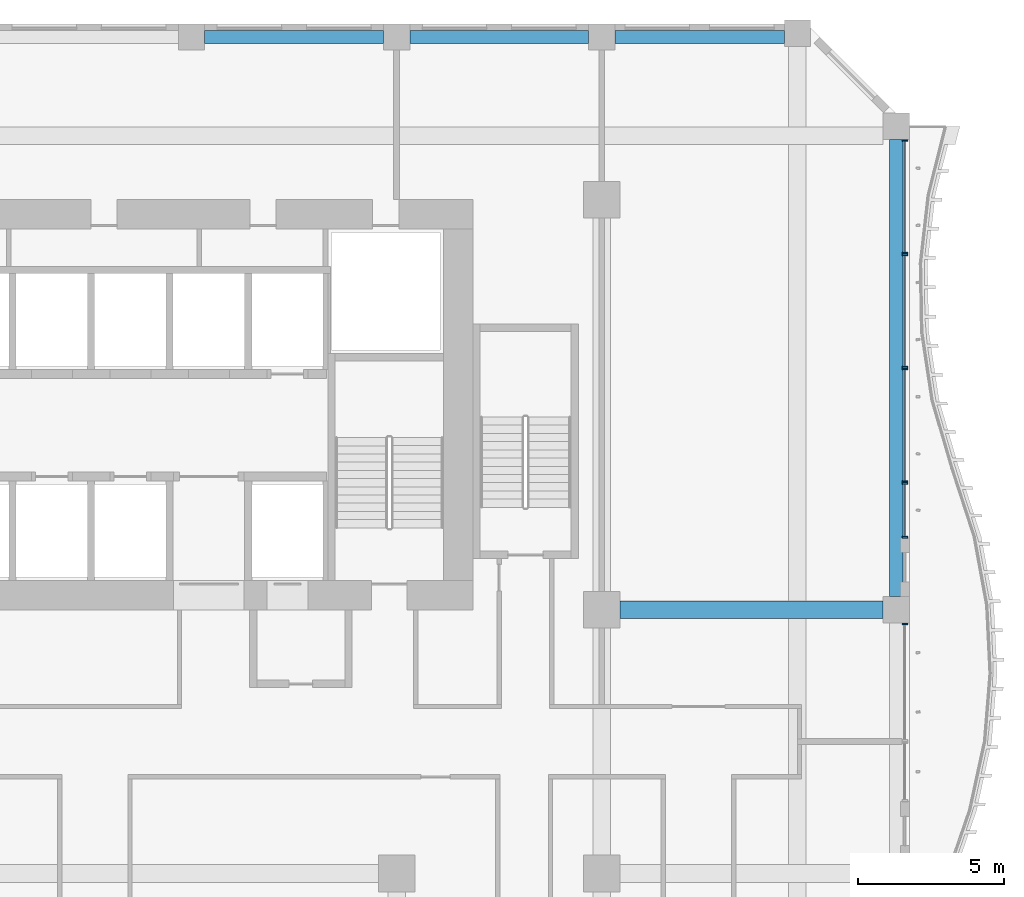
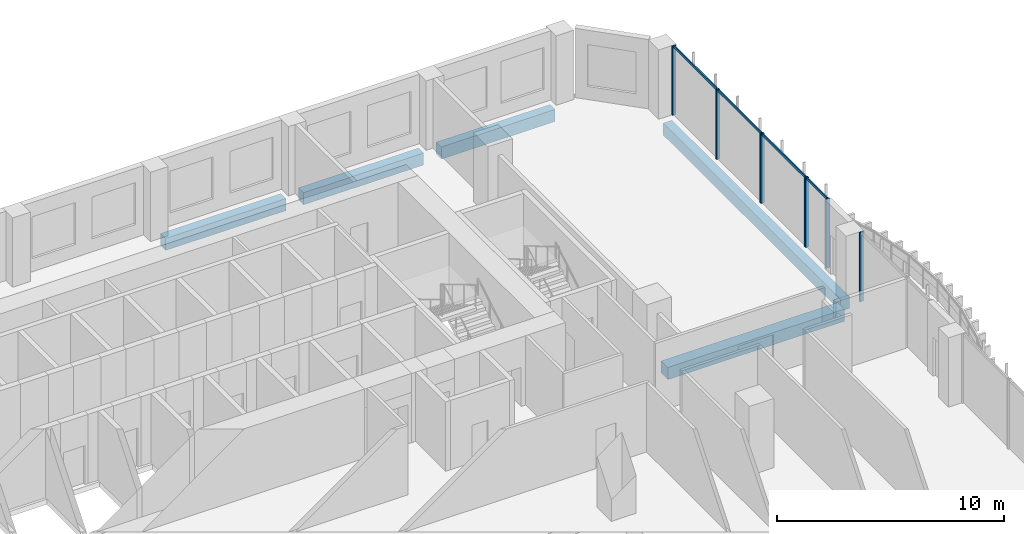
# One storey, part 11 of 28: 13 members, 5 beams, 5 elements without a shape of their own.
"""IFC4 building model written with IfcOpenShell, lengths in metres."""

from ifc_helpers import new_model, si_unit, direction, frame, origin, origin_2d, place, context, subcontext, project, spatial, rectangle, extrude, source, transform, mapped, material, material_profile, profile_set, type_object, element, aggregate, save


model = new_model("IFC4")

# Units and contexts
model_context = context("Model", 3, precision=1e-05, world=origin(), true_north=direction((0.0, 1.0)))
body_context = subcontext(model_context, "Body", "Model", "MODEL_VIEW")
ifc_project = project(units=[si_unit("LENGTHUNIT", "METRE"), si_unit("AREAUNIT", "SQUARE_METRE"), si_unit("VOLUMEUNIT", "CUBIC_METRE"), si_unit("PLANEANGLEUNIT", "RADIAN"), si_unit("MASSUNIT", "GRAM", prefix="KILO")], contexts=[model_context])

# Site, building, storey
site_placement = place(None, origin())
site = spatial("IfcSite", under=ifc_project, at=site_placement, CompositionType="ELEMENT")
building_placement = place(site_placement, origin())
building = spatial("IfcBuilding", under=site, at=building_placement, Name="Kilnfold Tower and Market Hall", CompositionType="ELEMENT")
storey_placement = place(building_placement, frame((0.0, 0.0, 75.199951171875)))
storey = spatial("IfcBuildingStorey", under=building, at=storey_placement, Name="L17", CompositionType="ELEMENT", Elevation=75.199951171875)

# Beams
ifc_material_1 = material(Name="Concrete C45", Category="concrete")
ifc_material_profile_1 = material_profile(ifc_material_1, rectangle(XDim=0.449951171875, YDim=0.64990234375, at=origin_2d()), Name="RC 450x650")
ifc_profile_set_1 = profile_set([ifc_material_profile_1], Name="Concrete C45")
beam_type_1 = type_object("IfcBeamType", Name="EDGE BEAM 450X650 C45", PredefinedType="BEAM", material=ifc_profile_set_1)
shared_shape_1 = source(origin(), body_context, "Body", "SweptSolid", [
    extrude(rectangle(XDim=0.449951171875, YDim=0.64990234375, at=origin_2d()), origin(), (0.0, 0.0, 1.0), 6.10009765625),
])
for number, where, z_axis, x_axis, name in (
    (1, (8.949951171875, 27.550048828125, -0.60498046875), (1.0, 0.0, 0.0), (0.0, 1.0, 0.0), "Beam EB650-B2.79"),
    (2, (15.949951171875, 27.550048828125, -0.60498046875), (1.0, 0.0, 0.0), (0.0, 1.0, 0.0), "Beam EB650-B2.80"),
):
    element("IfcBeam", number, at=place(storey_placement, frame(where, z_axis=z_axis, x_axis=x_axis)), inside=storey, type_object=beam_type_1, Name=name, PredefinedType="BEAM", context=body_context, shape_type="MappedRepresentation", body=[
        mapped(shared_shape_1, transform((0.0, 0.0, 0.0))),
    ])
shared_shape_2 = source(origin(), body_context, "Body", "SweptSolid", [
    extrude(rectangle(XDim=0.449951171875, YDim=0.64990234375, at=origin_2d()), origin(), (0.0, 0.0, 1.0), 5.78173828125),
])
beam_1_placement = place(storey_placement, frame((22.949951171875, 27.550048828125, -0.60498046875), z_axis=(1.0, 0.0, 0.0), x_axis=(0.0, 1.0, 0.0)))
element("IfcBeam", 3, at=beam_1_placement, inside=storey, type_object=beam_type_1, Name="Beam EB650-B2.81", PredefinedType="BEAM", context=body_context, shape_type="MappedRepresentation", body=[
    mapped(shared_shape_2, transform((0.0, 0.0, 0.0))),
])
shared_shape_3 = source(origin(), body_context, "Body", "SweptSolid", [
    extrude(rectangle(XDim=0.449951171875, YDim=0.64990234375, at=origin_2d()), origin(), (0.0, 0.0, 1.0), 15.60009765625),
])
beam_2_placement = place(storey_placement, frame((32.550048828125, 8.449951171875, -0.60498046875), z_axis=(0.0, 1.0, 0.0), x_axis=(-1.0, 0.0, 0.0)))
element("IfcBeam", 4, at=beam_2_placement, inside=storey, type_object=beam_type_1, Name="Beam EB650-B2.103", PredefinedType="BEAM", context=body_context, shape_type="MappedRepresentation", body=[
    mapped(shared_shape_3, transform((0.0, 0.0, 0.0))),
])
ifc_material_2 = material(Name="Concrete C45", Category="concrete")
ifc_material_profile_2 = material_profile(ifc_material_2, rectangle(XDim=0.60009765625, YDim=0.64990234375, at=origin_2d()), Name="RC 600x650")
ifc_profile_set_2 = profile_set([ifc_material_profile_2], Name="Concrete C45")
beam_type_2 = type_object("IfcBeamType", Name="BEAM 600X650 C45", PredefinedType="BEAM", material=ifc_profile_set_2)
shared_shape_4 = source(origin(), body_context, "Body", "SweptSolid", [
    extrude(rectangle(XDim=0.60009765625, YDim=0.64990234375, at=origin_2d()), origin(), (0.0, 0.0, 1.0), 8.97509765625),
])
beam_3_placement = place(storey_placement, frame((23.125, 8.0, -0.60498046875), z_axis=(1.0, 0.0, 0.0), x_axis=(0.0, 1.0, 0.0)))
element("IfcBeam", 5, at=beam_3_placement, inside=storey, type_object=beam_type_2, Name="Beam BB650-B2.73", PredefinedType="BEAM", context=body_context, shape_type="MappedRepresentation", body=[
    mapped(shared_shape_4, transform((0.0, 0.0, 0.0))),
])

# Curtain wall, member
ifc_material_3 = material(Name="Aluminium and double glazing", Category="aluminium")
curtain_wall_type = type_object("IfcCurtainWallType", Name="CW OF1 VALLEY GLAZING", PredefinedType="NOTDEFINED", material=ifc_material_3)
curtain_wall_1_placement = place(storey_placement, origin())
curtain_wall_1 = element("IfcCurtainWall", 6, at=curtain_wall_1_placement, inside=storey, type_object=curtain_wall_type, Name="Curtain wall CW1 L17 E", PredefinedType="NOTDEFINED")
ifc_material_4 = material(Name="Aluminium", Category="aluminium")
ifc_material_profile_3 = material_profile(ifc_material_4, rectangle(XDim=0.06005859375, YDim=0.179931640625, at=origin_2d()), Name="MULLION 60x180")
ifc_profile_set_3 = profile_set([ifc_material_profile_3], Name="Aluminium")
member_type_1 = type_object("IfcMemberType", Name="MULLION 60X180", PredefinedType="MULLION", material=ifc_profile_set_3)
shared_shape_5 = source(origin(), body_context, "Body", "SweptSolid", [
    extrude(rectangle(XDim=0.06005859375, YDim=0.179931640625, at=origin_2d()), origin(), (0.0, 0.0, 1.0), 3.719970703125),
])
member_1_placement = place(storey_placement, frame((32.85009765625, 7.52001953125, 0.0), z_axis=(0.0, 0.0, 1.0), x_axis=(0.0, 1.0, 0.0)))
member_1 = element("IfcMember", 7, at=member_1_placement, type_object=member_type_1, Name="CW1 mullion 2", PredefinedType="MULLION", context=body_context, shape_type="MappedRepresentation", body=[
    mapped(shared_shape_5, transform((0.0, 0.0, 0.0))),
])
aggregate(curtain_wall_1, [member_1])

# Curtain wall, members
curtain_wall_2_placement = place(storey_placement, origin())
curtain_wall_2 = element("IfcCurtainWall", 8, at=curtain_wall_2_placement, inside=storey, type_object=curtain_wall_type, Name="Curtain wall CW1 L17 E", PredefinedType="NOTDEFINED")
member_2_placement = place(storey_placement, frame((32.85009765625, 10.47998046875, 0.0), z_axis=(0.0, 0.0, 1.0), x_axis=(0.0, 1.0, 0.0)))
member_2 = element("IfcMember", 9, at=member_2_placement, type_object=member_type_1, Name="CW1 mullion 1", PredefinedType="MULLION", context=body_context, shape_type="MappedRepresentation", body=[
    mapped(shared_shape_5, transform((0.0, 0.0, 0.0))),
])
member_3_placement = place(storey_placement, frame((32.85009765625, 12.320068359375, 0.0), z_axis=(0.0, 0.0, 1.0), x_axis=(0.0, 1.0, 0.0)))
member_3 = element("IfcMember", 10, at=member_3_placement, type_object=member_type_1, Name="CW1 mullion 2", PredefinedType="MULLION", context=body_context, shape_type="MappedRepresentation", body=[
    mapped(shared_shape_5, transform((0.0, 0.0, 0.0))),
])

curtain_wall_3_placement = place(storey_placement, origin())
curtain_wall_3 = element("IfcCurtainWall", 11, at=curtain_wall_3_placement, inside=storey, type_object=curtain_wall_type, Name="Curtain wall CW1 L17 E", PredefinedType="NOTDEFINED")
member_4_placement = place(storey_placement, frame((32.85009765625, 12.3798828125, 0.0), z_axis=(0.0, 0.0, 1.0), x_axis=(0.0, 1.0, 0.0)))
member_4 = element("IfcMember", 12, at=member_4_placement, type_object=member_type_1, Name="CW1 mullion 1", PredefinedType="MULLION", context=body_context, shape_type="MappedRepresentation", body=[
    mapped(shared_shape_5, transform((0.0, 0.0, 0.0))),
])
member_5_placement = place(storey_placement, frame((32.85009765625, 16.219970703125, 0.0), z_axis=(0.0, 0.0, 1.0), x_axis=(0.0, 1.0, 0.0)))
member_5 = element("IfcMember", 13, at=member_5_placement, type_object=member_type_1, Name="CW1 mullion 2", PredefinedType="MULLION", context=body_context, shape_type="MappedRepresentation", body=[
    mapped(shared_shape_5, transform((0.0, 0.0, 0.0))),
])

curtain_wall_4_placement = place(storey_placement, origin())
curtain_wall_4 = element("IfcCurtainWall", 14, at=curtain_wall_4_placement, inside=storey, type_object=curtain_wall_type, Name="Curtain wall CW1 L17 E", PredefinedType="NOTDEFINED")
member_6_placement = place(storey_placement, frame((32.85009765625, 16.280029296875, 0.0), z_axis=(0.0, 0.0, 1.0), x_axis=(0.0, 1.0, 0.0)))
member_6 = element("IfcMember", 15, at=member_6_placement, type_object=member_type_1, Name="CW1 mullion 1", PredefinedType="MULLION", context=body_context, shape_type="MappedRepresentation", body=[
    mapped(shared_shape_5, transform((0.0, 0.0, 0.0))),
])
member_7_placement = place(storey_placement, frame((32.85009765625, 20.1201171875, 0.0), z_axis=(0.0, 0.0, 1.0), x_axis=(0.0, 1.0, 0.0)))
member_7 = element("IfcMember", 16, at=member_7_placement, type_object=member_type_1, Name="CW1 mullion 2", PredefinedType="MULLION", context=body_context, shape_type="MappedRepresentation", body=[
    mapped(shared_shape_5, transform((0.0, 0.0, 0.0))),
])

curtain_wall_5_placement = place(storey_placement, origin())
curtain_wall_5 = element("IfcCurtainWall", 17, at=curtain_wall_5_placement, inside=storey, type_object=curtain_wall_type, Name="Curtain wall CW1 L17 E", PredefinedType="NOTDEFINED")
member_8_placement = place(storey_placement, frame((32.85009765625, 20.179931640625, 0.0), z_axis=(0.0, 0.0, 1.0), x_axis=(0.0, 1.0, 0.0)))
member_8 = element("IfcMember", 18, at=member_8_placement, type_object=member_type_1, Name="CW1 mullion 1", PredefinedType="MULLION", context=body_context, shape_type="MappedRepresentation", body=[
    mapped(shared_shape_5, transform((0.0, 0.0, 0.0))),
])
member_9_placement = place(storey_placement, frame((32.85009765625, 24.02001953125, 0.0), z_axis=(0.0, 0.0, 1.0), x_axis=(0.0, 1.0, 0.0)))
member_9 = element("IfcMember", 19, at=member_9_placement, type_object=member_type_1, Name="CW1 mullion 2", PredefinedType="MULLION", context=body_context, shape_type="MappedRepresentation", body=[
    mapped(shared_shape_5, transform((0.0, 0.0, 0.0))),
])

# Member
ifc_material_5 = material(Name="Aluminium", Category="aluminium")
ifc_material_profile_4 = material_profile(ifc_material_5, rectangle(XDim=0.06005859375, YDim=0.139892578125, at=origin_2d()), Name="TRANSOM 60x140")
ifc_profile_set_4 = profile_set([ifc_material_profile_4], Name="Aluminium")
member_type_2 = type_object("IfcMemberType", Name="TRANSOM 60X140", PredefinedType="USERDEFINED", material=ifc_profile_set_4)
shared_shape_6 = source(origin(), body_context, "Body", "SweptSolid", [
    extrude(rectangle(XDim=0.06005859375, YDim=0.139892578125, at=origin_2d()), origin(), (0.0, 0.0, 1.0), 3.780029296875),
])
member_10_placement = place(storey_placement, frame((32.85009765625, 12.409912109375, 3.68994140625), z_axis=(0.0, 1.0, 0.0), x_axis=(-1.0, 0.0, 0.0)))
member_10 = element("IfcMember", 20, at=member_10_placement, type_object=member_type_2, Name="CW1 transom 1.2", ObjectType="TRANSOM", PredefinedType="USERDEFINED", context=body_context, shape_type="MappedRepresentation", body=[
    mapped(shared_shape_6, transform((0.0, 0.0, 0.0))),
])

aggregate(curtain_wall_3, [member_4, member_5, member_10])

member_11_placement = place(storey_placement, frame((32.85009765625, 16.31005859375, 3.68994140625), z_axis=(0.0, 1.0, 0.0), x_axis=(-1.0, 0.0, 0.0)))
member_11 = element("IfcMember", 21, at=member_11_placement, type_object=member_type_2, Name="CW1 transom 1.2", ObjectType="TRANSOM", PredefinedType="USERDEFINED", context=body_context, shape_type="MappedRepresentation", body=[
    mapped(shared_shape_6, transform((0.0, 0.0, 0.0))),
])

aggregate(curtain_wall_4, [member_6, member_7, member_11])

member_12_placement = place(storey_placement, frame((32.85009765625, 20.2099609375, 3.68994140625), z_axis=(0.0, 1.0, 0.0), x_axis=(-1.0, 0.0, 0.0)))
member_12 = element("IfcMember", 22, at=member_12_placement, type_object=member_type_2, Name="CW1 transom 1.2", ObjectType="TRANSOM", PredefinedType="USERDEFINED", context=body_context, shape_type="MappedRepresentation", body=[
    mapped(shared_shape_6, transform((0.0, 0.0, 0.0))),
])

aggregate(curtain_wall_5, [member_8, member_9, member_12])

shared_shape_7 = source(origin(), body_context, "Body", "SweptSolid", [
    extrude(rectangle(XDim=0.06005859375, YDim=0.139892578125, at=origin_2d()), origin(), (0.0, 0.0, 1.0), 1.780029296875),
])
member_13_placement = place(storey_placement, frame((32.85009765625, 10.510009765625, 3.68994140625), z_axis=(0.0, 1.0, 0.0), x_axis=(-1.0, 0.0, 0.0)))
member_13 = element("IfcMember", 23, at=member_13_placement, type_object=member_type_2, Name="CW1 transom 1.2", ObjectType="TRANSOM", PredefinedType="USERDEFINED", context=body_context, shape_type="MappedRepresentation", body=[
    mapped(shared_shape_7, transform((0.0, 0.0, 0.0))),
])

aggregate(curtain_wall_2, [member_2, member_3, member_13])

save(model, "model.ifc")
